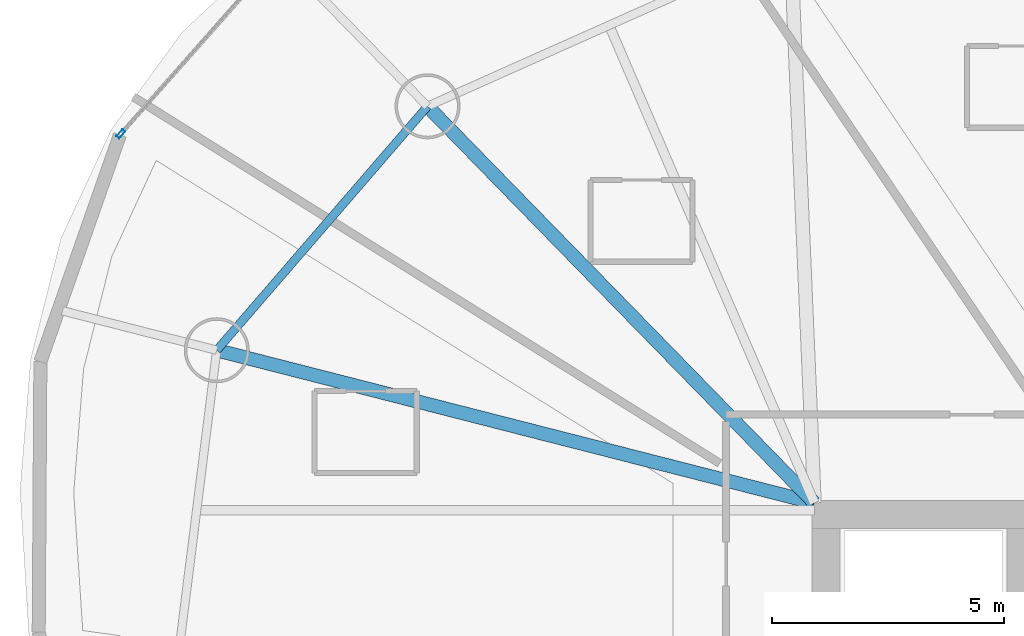
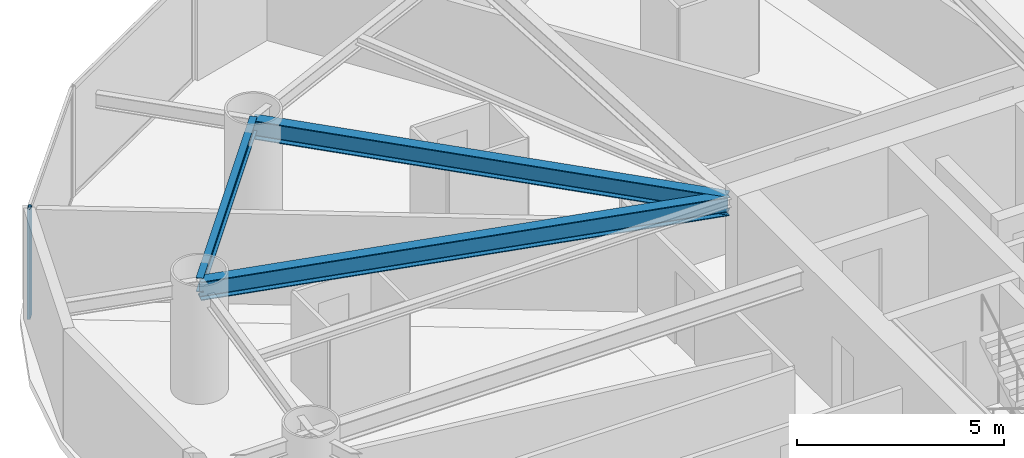
# One storey, part 8 of 20: 3 beams, 1 member, 1 element without a shape of its own.
"""IFC4 building model written with IfcOpenShell, lengths in metres."""

import ifcopenshell
import ifcopenshell.guid

model = None  # the IFC model being written
_history = None  # IfcOwnerHistory: only IFC2X3 demands one
_inside = {}  # id of a spatial element -> (the spatial element, [elements in it])
_under = {}  # id of a project, library or spatial element -> (it, [spatial elements below it])
_declared = {}  # id of a project -> (the project, [libraries it declares])
_typed = {}  # id of a type object -> (the type object, [elements of that type])
_made_of = {}  # id of a material, layer set ... -> (it, [elements and type objects made of it])


def new_model(schema):
    """Start an empty IFC model of exactly this schema.

    Asked for "IFC4X3", IfcOpenShell would pick the latest addendum, in which some entities
    have other attributes; the version numbers below select the first issue.
    IFC2X3 requires an IfcOwnerHistory on every rooted entity: one is made here for all.
    """
    global model, _history
    if schema == "IFC4X3":
        model = ifcopenshell.file(schema_version=(4, 3, 0, 0))
    else:
        model = ifcopenshell.file(schema=schema)
    _inside.clear()
    _under.clear()
    _declared.clear()
    _typed.clear()
    _made_of.clear()
    _history = None
    if model.schema == "IFC2X3":
        org = make("IfcOrganization", Name="unknown")
        user = make(
            "IfcPersonAndOrganization",
            ThePerson=make("IfcPerson", FamilyName="unknown"),
            TheOrganization=org,
        )
        app = make(
            "IfcApplication",
            ApplicationDeveloper=org,
            Version="unknown",
            ApplicationFullName="unknown",
            ApplicationIdentifier="unknown",
        )
        _history = make(
            "IfcOwnerHistory",
            OwningUser=user,
            OwningApplication=app,
            ChangeAction="ADDED",
            CreationDate=0,
        )
    return model


def make(cls, **values):
    """One entity of the class cls with the attributes given. An attribute that is None is left unset."""
    return model.create_entity(
        cls, **{name: value for name, value in values.items() if value is not None}
    )


def rooted(cls, **values):
    """An entity with a GlobalId (a new one), such as an element, a storey or a relation."""
    return make(cls, GlobalId=ifcopenshell.guid.new(), OwnerHistory=_history, **values)


def si_unit(unit_type, name, prefix=None):
    """IfcSIUnit, for example si_unit("LENGTHUNIT", "METRE", prefix="MILLI")."""
    return make("IfcSIUnit", UnitType=unit_type, Prefix=prefix, Name=name)


def assignment(units):
    """IfcUnitAssignment: the units of a project."""
    return None if units is None else make("IfcUnitAssignment", Units=units)


def point(xyz):
    """IfcCartesianPoint."""
    return None if xyz is None else make("IfcCartesianPoint", Coordinates=xyz)


def direction(xyz):
    """IfcDirection."""
    return None if xyz is None else make("IfcDirection", DirectionRatios=xyz)


def frame(location, z_axis=None, x_axis=None):
    """IfcAxis2Placement3D, a coordinate frame: its origin and axes. An axis left out is left unset."""
    return make(
        "IfcAxis2Placement3D",
        Location=point(location),
        Axis=direction(z_axis),
        RefDirection=direction(x_axis),
    )


def frame_2d(location, x_axis=None):
    """IfcAxis2Placement2D, a coordinate frame in the plane: its origin and x axis."""
    return make(
        "IfcAxis2Placement2D", Location=point(location), RefDirection=direction(x_axis)
    )


def origin():
    """The frame at (0, 0, 0) with its axes left unset."""
    return frame((0.0, 0.0, 0.0))


def origin_2d():
    """The frame at (0, 0) in the plane with its x axis left unset."""
    return frame_2d((0.0, 0.0))


def place(relative_to, where):
    """IfcLocalPlacement: puts the frame where relative to a parent placement (None: the world)."""
    return make(
        "IfcLocalPlacement", PlacementRelTo=relative_to, RelativePlacement=where
    )


def context(
    kind, dimensions, precision=None, world=None, true_north=None, identifier=None
):
    """IfcGeometricRepresentationContext, for example the 3D "Model" context."""
    return make(
        "IfcGeometricRepresentationContext",
        ContextIdentifier=identifier,
        ContextType=kind,
        CoordinateSpaceDimension=dimensions,
        Precision=precision,
        WorldCoordinateSystem=world,
        TrueNorth=true_north,
    )


def subcontext(parent, identifier, kind, view, scale=None):
    """IfcGeometricRepresentationSubContext, for example "Body" below "Model"."""
    return make(
        "IfcGeometricRepresentationSubContext",
        ContextIdentifier=identifier,
        ContextType=kind,
        ParentContext=parent,
        TargetScale=scale,
        TargetView=view,
    )


def project(units=None, contexts=None):
    """IfcProject with its units and contexts."""
    return rooted(
        "IfcProject",
        Name="project",
        RepresentationContexts=contexts,
        UnitsInContext=assignment(units),
    )


def spatial(cls, under=None, at=None, **own):
    """A site, building, storey or space (cls), placed at a placement, below another one or the project."""
    s = rooted(cls, ObjectPlacement=at, **own)
    if under is not None:
        _under.setdefault(under.id(), (under, []))[1].append(s)
    return s


def profile(cls, at=None, kind="AREA", **sizes):
    """A parametric profile (cls). Its sizes go by their IFC names, for example OverallWidth=200.0."""
    return make(cls, ProfileType=kind, Position=at, **sizes)


def hollow_rectangle(**sizes):
    """IfcRectangleHollowProfileDef."""
    return profile("IfcRectangleHollowProfileDef", **sizes)


def i_section(**sizes):
    """IfcIShapeProfileDef."""
    return profile("IfcIShapeProfileDef", **sizes)


def extrude(swept, where, along, depth):
    """IfcExtrudedAreaSolid: the profile swept, set in the frame where, extruded along a direction by depth."""
    return make(
        "IfcExtrudedAreaSolid",
        SweptArea=swept,
        Position=where,
        ExtrudedDirection=direction(along),
        Depth=depth,
    )


def shape(context_of_items, identifier, shape_type, items):
    """IfcShapeRepresentation: the items that make up one representation, for example the "Body"."""
    return make(
        "IfcShapeRepresentation",
        ContextOfItems=context_of_items,
        RepresentationIdentifier=identifier,
        RepresentationType=shape_type,
        Items=items,
    )


def material(Name=None, Category=None):
    """IfcMaterial."""
    return make("IfcMaterial", Name=Name, Category=Category)


def layer(
    of_material, thickness, ventilated=None, Name=None, Category=None, Priority=None
):
    """IfcMaterialLayer: one layer of a wall or slab, of a material (None: an air gap)."""
    return make(
        "IfcMaterialLayer",
        Material=of_material,
        LayerThickness=thickness,
        IsVentilated=ventilated,
        Name=Name,
        Category=Category,
        Priority=Priority,
    )


def layer_set(layers, Name=None):
    """IfcMaterialLayerSet."""
    return make("IfcMaterialLayerSet", MaterialLayers=layers, LayerSetName=Name)


def material_profile(
    of_material, cross_section, Name=None, Category=None, Priority=None
):
    """IfcMaterialProfile: a cross section and its material."""
    return make(
        "IfcMaterialProfile",
        Name=Name,
        Material=of_material,
        Profile=cross_section,
        Priority=Priority,
        Category=Category,
    )


def profile_set(profiles, Name=None, composite=None):
    """IfcMaterialProfileSet."""
    return make(
        "IfcMaterialProfileSet",
        Name=Name,
        MaterialProfiles=profiles,
        CompositeProfile=composite,
    )


def made_of(thing, what):
    """Note that an element or type object is made of a material, layer set ...; save() writes the relation."""
    if what is not None:
        _made_of.setdefault(what.id(), (what, []))[1].append(thing)
    return thing


def type_object(cls, material=None, **own):
    """A type object (cls), such as IfcWallType, which elements share."""
    return made_of(rooted(cls, **own), material)


def element(
    cls,
    number,
    at=None,
    inside=None,
    cuts=None,
    type_object=None,
    material=None,
    context=None,
    identifier="Body",
    shape_type=None,
    held_by="IfcProductDefinitionShape",
    body=None,
    shapes=None,
    **own,
):
    """One element of the class cls, such as IfcWall. Its Tag is "e" and its number.

    at: its placement. inside: the storey or other place that contains it. cuts: it is an
    opening in that element (IfcRelVoidsElement). A single representation is given by context,
    identifier, shape_type and body (its items); several are given by shapes. held_by: the class
    of the entity that holds the representations. save() writes the other relations.
    """
    e = rooted(cls, Tag="e%d" % number, ObjectPlacement=at, **own)
    if body is not None:
        shapes = [shape(context, identifier, shape_type, body)]
    if shapes is not None:
        e.Representation = make(held_by, Representations=shapes)
    if inside is not None:
        _inside.setdefault(inside.id(), (inside, []))[1].append(e)
    if cuts is not None:
        rooted(
            "IfcRelVoidsElement", RelatingBuildingElement=cuts, RelatedOpeningElement=e
        )
    if type_object is not None:
        _typed.setdefault(type_object.id(), (type_object, []))[1].append(e)
    return made_of(e, material)


def aggregate(whole, parts):
    """IfcRelAggregates: a whole, such as a stair, and the parts it consists of."""
    return rooted("IfcRelAggregates", RelatingObject=whole, RelatedObjects=parts)


def save(model, path):
    """Write the relations noted so far, then the file.

    IfcRelAggregates (storeys below a building ...), IfcRelContainedInSpatialStructure (elements
    in a storey), IfcRelDefinesByType, IfcRelAssociatesMaterial and IfcRelDeclares: one each for
    every whole, place, type object, material and project.
    """
    for whole, parts in _under.values():
        aggregate(whole, parts)
    for where, things in _inside.values():
        rooted(
            "IfcRelContainedInSpatialStructure",
            RelatedElements=things,
            RelatingStructure=where,
        )
    for kind, things in _typed.values():
        rooted("IfcRelDefinesByType", RelatedObjects=things, RelatingType=kind)
    for what, things in _made_of.values():
        rooted("IfcRelAssociatesMaterial", RelatedObjects=things, RelatingMaterial=what)
    for by, libraries in _declared.values():
        rooted("IfcRelDeclares", RelatingContext=by, RelatedDefinitions=libraries)
    model.write(path)


model = new_model("IFC4")

# Units and contexts
model_context = context("Model", 3, precision=1e-05, world=origin(), true_north=direction((0.0, 1.0)))
body_context = subcontext(model_context, "Body", "Model", "MODEL_VIEW")
ifc_project = project(units=[si_unit("LENGTHUNIT", "METRE"), si_unit("AREAUNIT", "SQUARE_METRE"), si_unit("VOLUMEUNIT", "CUBIC_METRE"), si_unit("PLANEANGLEUNIT", "RADIAN"), si_unit("MASSUNIT", "GRAM", prefix="KILO")], contexts=[model_context])

# Site, building, storey
site_placement = place(None, origin())
site = spatial("IfcSite", under=ifc_project, at=site_placement, CompositionType="ELEMENT")
building_placement = place(site_placement, origin())
building = spatial("IfcBuilding", under=site, at=building_placement, Name="Bramvorn Convention Spire", CompositionType="ELEMENT")
storey_placement = place(building_placement, frame((0.0, 0.0, 151.800048828125)))
storey = spatial("IfcBuildingStorey", under=building, at=storey_placement, Name="L38", CompositionType="ELEMENT", Elevation=151.800048828125)

# Beams
ifc_material_1 = material(Name="Steel CSA G40.21 Grade 350 (350W)", Category="steel")
ifc_material_profile_1 = material_profile(ifc_material_1, i_section(OverallWidth=0.180908203125, OverallDepth=0.4169921875, WebThickness=0.010986328125, FlangeThickness=0.018310546875, FilletRadius=0.01611328125, at=origin_2d()))
ifc_profile_set_1 = profile_set([ifc_material_profile_1], Name="Steel CSA G40.21 Grade 350 (350W) - W410X85")
beam_type_1 = type_object("IfcBeamType", Name="BM-W410X85", PredefinedType="JOIST", material=ifc_profile_set_1)
beam_1_placement = place(storey_placement, frame((18.420166015625, 41.9892578125, 3.051513671875), z_axis=(-0.653824993824, -0.756645807132, 0.0), x_axis=(0.756645807132, -0.653824993824, 0.0)))
element("IfcBeam", 1, at=beam_1_placement, inside=storey, type_object=beam_type_1, Name="L38 mega-column ring beam 08", PredefinedType="JOIST", context=body_context, shape_type="SweptSolid", body=[
    extrude(i_section(OverallWidth=0.180908203125, OverallDepth=0.4169921875, WebThickness=0.010986328125, FlangeThickness=0.018310546875, FilletRadius=0.01611328125, at=origin_2d()), origin(), (0.0, 0.0, 1.0), 6.9404296875),
])
ifc_material_profile_2 = material_profile(ifc_material_1, i_section(OverallWidth=0.2919921875, OverallDepth=0.551025390625, WebThickness=0.01513671875, FlangeThickness=0.0244140625, FilletRadius=0.01904296875, at=origin_2d()))
ifc_profile_set_2 = profile_set([ifc_material_profile_2], Name="Steel CSA G40.21 Grade 350 (350W) - W530X182")
beam_type_2 = type_object("IfcBeamType", Name="BM-W530X182", PredefinedType="BEAM", material=ifc_profile_set_2)
beam_2_placement = place(storey_placement, frame((26.75, 33.449951171875, 2.95947265625), z_axis=(-0.698272445638, 0.715832097397, 0.0), x_axis=(-0.715832097397, -0.698272445638, 0.0)))
element("IfcBeam", 2, at=beam_2_placement, inside=storey, type_object=beam_type_2, Name="L38 Sky-Garden back-span radial girder MC08", PredefinedType="BEAM", context=body_context, shape_type="SweptSolid", body=[
    extrude(i_section(OverallWidth=0.2919921875, OverallDepth=0.551025390625, WebThickness=0.01513671875, FlangeThickness=0.0244140625, FilletRadius=0.01904296875, at=origin_2d()), origin(), (0.0, 0.0, 1.0), 11.92919921875),
])
beam_3_placement = place(storey_placement, frame((26.75, 33.449951171875, 2.95947265625), z_axis=(-0.968872976577, 0.247558387576, 0.0), x_axis=(-0.247558387576, -0.968872976577, 0.0)))
element("IfcBeam", 3, at=beam_3_placement, inside=storey, type_object=beam_type_2, Name="L38 Sky-Garden back-span radial girder MC09", PredefinedType="BEAM", context=body_context, shape_type="SweptSolid", body=[
    extrude(i_section(OverallWidth=0.2919921875, OverallDepth=0.551025390625, WebThickness=0.01513671875, FlangeThickness=0.0244140625, FilletRadius=0.01904296875, at=origin_2d()), origin(), (0.0, 0.0, 1.0), 13.281005859375),
])

# Curtain wall, member
ifc_material_2 = material(Name="Anodised Bronze Unitised Curtain Wall", Category="aluminium")
ifc_layer = layer(ifc_material_2, 0.179931640625)
ifc_layer_set = layer_set([ifc_layer], Name="Anodised Bronze Unitised Curtain Wall - CW-HTL-FRIT")
curtain_wall_type = type_object("IfcCurtainWallType", Name="CW-HTL-FRIT", PredefinedType="USERDEFINED", material=ifc_layer_set)
curtain_wall_placement = place(storey_placement, origin())
curtain_wall = element("IfcCurtainWall", 4, at=curtain_wall_placement, inside=storey, type_object=curtain_wall_type, Name="L38 fritted glass curtain wall 12", ObjectType="UNITISED CURTAIN WALL", PredefinedType="USERDEFINED")
ifc_material_3 = material(Name="Anodised Bronze Aluminium 6063-T6", Category="aluminium")
ifc_material_profile_3 = material_profile(ifc_material_3, hollow_rectangle(XDim=0.080078125, YDim=0.199951171875, WallThickness=0.00390625, InnerFilletRadius=0.0009765625, OuterFilletRadius=0.00390625, at=origin_2d()))
ifc_profile_set_3 = profile_set([ifc_material_profile_3], Name="Anodised Bronze Aluminium 6063-T6 - CWM80X200")
member_type = type_object("IfcMemberType", Name="CW-MUL-180", PredefinedType="MULLION", material=ifc_profile_set_3)
member_placement = place(storey_placement, frame((11.816650390625, 41.395751953125, 0.0), z_axis=(0.0, 0.0, 1.0), x_axis=(-0.749197936954, 0.662346171774, 0.0)))
member = element("IfcMember", 5, at=member_placement, type_object=member_type, Name="CW2 mullion 1", PredefinedType="MULLION", context=body_context, shape_type="SweptSolid", body=[
    extrude(hollow_rectangle(XDim=0.080078125, YDim=0.199951171875, WallThickness=0.00390625, InnerFilletRadius=0.0009765625, OuterFilletRadius=0.00390625, at=origin_2d()), origin(), (0.0, 0.0, 1.0), 3.260009765625),
])
aggregate(curtain_wall, [member])

save(model, "model.ifc")
